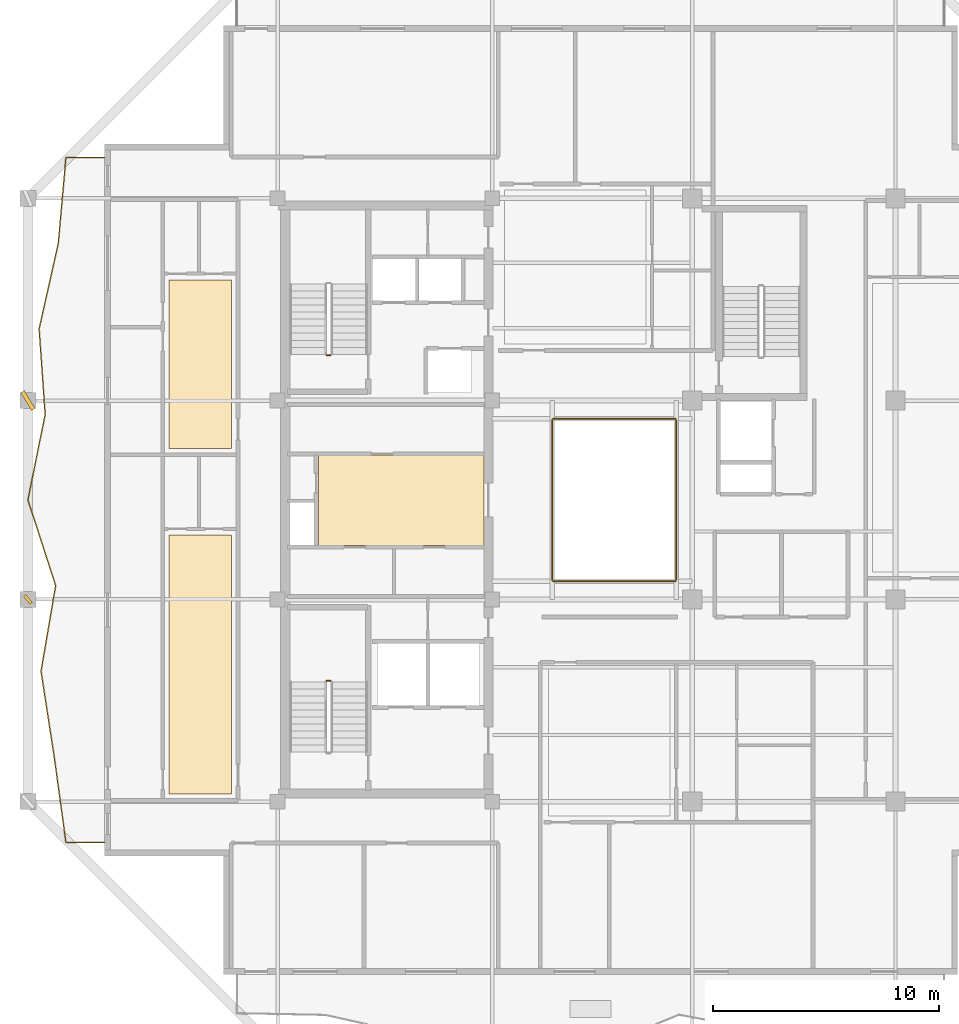
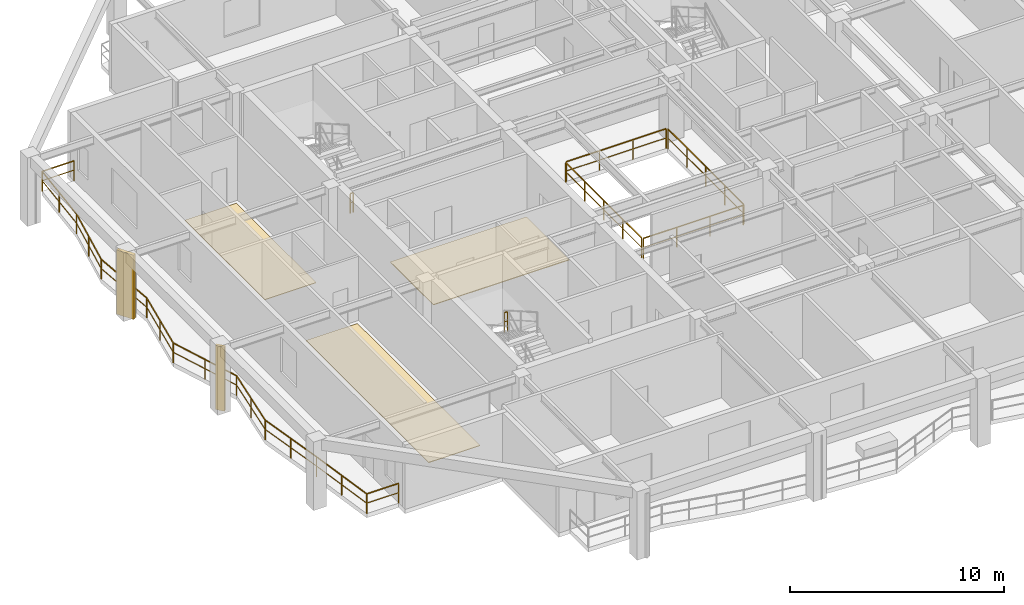
# One storey, part 8 of 11: 7 railings, 3 coverings, 2 shading devices.
"""IFC4 building model written with IfcOpenShell, lengths in metres."""

from ifc_helpers import new_model, si_unit, direction, frame, origin, origin_2d, place, context, subcontext, project, spatial, polyline, rectangle, outline, extrude, material, layer, layer_set, type_object, element, save


model = new_model("IFC4")

# Units and contexts
model_context = context("Model", 3, precision=1e-05, world=origin(), true_north=direction((0.0, 1.0)))
body_context = subcontext(model_context, "Body", "Model", "MODEL_VIEW")
ifc_project = project(units=[si_unit("LENGTHUNIT", "METRE"), si_unit("AREAUNIT", "SQUARE_METRE"), si_unit("VOLUMEUNIT", "CUBIC_METRE"), si_unit("PLANEANGLEUNIT", "RADIAN"), si_unit("MASSUNIT", "GRAM", prefix="KILO")], contexts=[model_context])

# Site, building, storey
site_placement = place(None, origin())
site = spatial("IfcSite", under=ifc_project, at=site_placement, CompositionType="ELEMENT")
building_placement = place(site_placement, origin())
building = spatial("IfcBuilding", under=site, at=building_placement, Name="Kundavana Baori Tower", CompositionType="ELEMENT")
storey_placement = place(building_placement, frame((0.0, 0.0, 249.199951171875)))
storey = spatial("IfcBuildingStorey", under=building, at=storey_placement, Name="L61", CompositionType="ELEMENT", Elevation=249.199951171875)

# Coverings
ifc_material_1 = material(Name="Honed Kota Stone and Terrazzo Flooring", Category="masonry")
ifc_layer_1 = layer(ifc_material_1, 0.0400390625, Name="COV-FLR-TERR-40")
ifc_layer_set_1 = layer_set([ifc_layer_1], Name="Honed Kota Stone and Terrazzo Flooring")
covering_type_1 = type_object("IfcCoveringType", Name="COV-FLR-TERR-40", PredefinedType="FLOORING", material=ifc_layer_set_1)
covering_1_placement = place(storey_placement, origin())
element("IfcCovering", 1, at=covering_1_placement, inside=storey, type_object=covering_type_1, Name="L61 Core Lift Lobby Kota Stone Flooring", PredefinedType="FLOORING", context=body_context, shape_type="SweptSolid", body=[
    extrude(outline(polyline([(17.25, 26.580078125), (24.580078125, 26.580078125), (24.580078125, 30.60009765625), (17.25, 30.60009765625), (17.25, 26.580078125)])), origin(), (0.0, 0.0, 1.0), 0.0400390625),
])
ifc_material_2 = material(Name="Honed Kota Stone and Terrazzo Flooring", Category="masonry")
ifc_layer_2 = layer(ifc_material_2, 0.030029296875, Name="COV-INT-FLR")
ifc_layer_set_2 = layer_set([ifc_layer_2], Name="Honed Kota Stone and Terrazzo Flooring")
covering_type_2 = type_object("IfcCoveringType", Name="COV-INT-FLR", PredefinedType="FLOORING", material=ifc_layer_set_2)
covering_2_placement = place(storey_placement, origin())
element("IfcCovering", 2, at=covering_2_placement, inside=storey, type_object=covering_type_2, Name="L61 Room Finished Stone Flooring 1", PredefinedType="FLOORING", context=body_context, shape_type="SweptSolid", body=[
    extrude(outline(polyline([(10.64990234375, 15.580078125), (13.419921875, 15.580078125), (13.419921875, 27.0400390625), (10.64990234375, 27.0400390625), (10.64990234375, 15.580078125)])), origin(), (0.0, 0.0, 1.0), 0.030029296875),
])
covering_3_placement = place(storey_placement, origin())
element("IfcCovering", 3, at=covering_3_placement, inside=storey, type_object=covering_type_2, Name="L61 Room Finished Stone Flooring 2", PredefinedType="FLOORING", context=body_context, shape_type="SweptSolid", body=[
    extrude(outline(polyline([(10.64990234375, 30.8798828125), (13.419921875, 30.8798828125), (13.419921875, 38.340087890625), (10.64990234375, 38.340087890625), (10.64990234375, 30.8798828125)])), origin(), (0.0, 0.0, 1.0), 0.030029296875),
])

# Railings
ifc_material_3 = material(Name="Architectural Patinated Bronze Metalwork")
railing_type_1 = type_object("IfcRailingType", Name="RL-BAL-1150", PredefinedType="BALUSTRADE", material=ifc_material_3)
railing_1_placement = place(storey_placement, frame((7.800048828125, 13.449951171875, 0.0)))
element("IfcRailing", 4, at=railing_1_placement, inside=storey, type_object=railing_type_1, Name="L61 Loggia Balcony Balustrade W", PredefinedType="BALUSTRADE", context=body_context, shape_type="SweptSolid", body=[
    extrude(rectangle(XDim=0.048095703125, YDim=0.048095703125, at=origin_2d()), frame((0.0, 0.0, 1.1259765625), z_axis=(-1.0, 0.0, 0.0), x_axis=(0.0, -1.0, 0.0)), (0.0, 0.0, 1.0), 1.719970703125),
    extrude(rectangle(XDim=0.03125, YDim=0.03125, at=origin_2d()), frame((0.0, 0.0, 0.597900390625), z_axis=(-1.0, 0.0, 0.0), x_axis=(0.0, -1.0, 0.0)), (0.0, 0.0, 1.0), 1.719970703125),
    extrude(rectangle(XDim=0.048095703125, YDim=0.048095703125, at=origin_2d()), frame((-1.719970703125, 0.0, 1.1259765625), z_axis=(-0.136002139567, 0.990708543434, 0.0), x_axis=(-0.990708543434, -0.136002139567, 0.0)), (0.0, 0.0, 1.0), 3.82373046875),
    extrude(rectangle(XDim=0.03125, YDim=0.03125, at=origin_2d()), frame((-1.719970703125, 0.0, 0.597900390625), z_axis=(-0.136002139567, 0.990708543434, 0.0), x_axis=(-0.990708543434, -0.136002139567, 0.0)), (0.0, 0.0, 1.0), 3.82373046875),
    extrude(rectangle(XDim=0.048095703125, YDim=0.048095703125, at=origin_2d()), frame((-2.239990234375, 3.7880859375, 1.1259765625), z_axis=(-0.151913531628, 0.988393787368, 0.0), x_axis=(-0.988393787368, -0.151913531628, 0.0)), (0.0, 0.0, 1.0), 3.831298828125),
    extrude(rectangle(XDim=0.03125, YDim=0.03125, at=origin_2d()), frame((-2.239990234375, 3.7880859375, 0.597900390625), z_axis=(-0.151913531628, 0.988393787368, 0.0), x_axis=(-0.988393787368, -0.151913531628, 0.0)), (0.0, 0.0, 1.0), 3.831298828125),
    extrude(rectangle(XDim=0.048095703125, YDim=0.048095703125, at=origin_2d()), frame((-2.822021484375, 7.574951171875, 1.1259765625), z_axis=(0.16839585765, 0.985719450516, 0.0), x_axis=(-0.985719450516, 0.16839585765, 0.0)), (0.0, 0.0, 1.0), 3.842041015625),
    extrude(rectangle(XDim=0.03125, YDim=0.03125, at=origin_2d()), frame((-2.822021484375, 7.574951171875, 0.597900390625), z_axis=(0.16839585765, 0.985719450516, 0.0), x_axis=(-0.985719450516, 0.16839585765, 0.0)), (0.0, 0.0, 1.0), 3.842041015625),
    extrude(rectangle(XDim=0.048095703125, YDim=0.048095703125, at=origin_2d()), frame((-2.175048828125, 11.362060546875, 1.1259765625), z_axis=(-0.307715790577, 0.951478319369, 0.0), x_axis=(-0.951478319369, -0.307715790577, 0.0)), (0.0, 0.0, 1.0), 3.981201171875),
    extrude(rectangle(XDim=0.03125, YDim=0.03125, at=origin_2d()), frame((-2.175048828125, 11.362060546875, 0.597900390625), z_axis=(-0.307715790577, 0.951478319369, 0.0), x_axis=(-0.951478319369, -0.307715790577, 0.0)), (0.0, 0.0, 1.0), 3.981201171875),
    extrude(rectangle(XDim=0.048095703125, YDim=0.048095703125, at=origin_2d()), frame((-3.400146484375, 15.150146484375, 1.1259765625), z_axis=(0.19672373461, 0.980458959998, 0.0), x_axis=(-0.980458959998, 0.19672373461, 0.0)), (0.0, 0.0, 1.0), 3.86328125),
    extrude(rectangle(XDim=0.03125, YDim=0.03125, at=origin_2d()), frame((-3.400146484375, 15.150146484375, 0.597900390625), z_axis=(0.19672373461, 0.980458959998, 0.0), x_axis=(-0.980458959998, 0.19672373461, 0.0)), (0.0, 0.0, 1.0), 3.86328125),
    extrude(rectangle(XDim=0.048095703125, YDim=0.048095703125, at=origin_2d()), frame((-2.64013671875, 18.93798828125, 1.1259765625), z_axis=(-0.070287311749, 0.997526788516, 0.0), x_axis=(-0.997526788516, -0.070287311749, 0.0)), (0.0, 0.0, 1.0), 3.79638671875),
    extrude(rectangle(XDim=0.03125, YDim=0.03125, at=origin_2d()), frame((-2.64013671875, 18.93798828125, 0.597900390625), z_axis=(-0.070287311749, 0.997526788516, 0.0), x_axis=(-0.997526788516, -0.070287311749, 0.0)), (0.0, 0.0, 1.0), 3.79638671875),
    extrude(rectangle(XDim=0.048095703125, YDim=0.048095703125, at=origin_2d()), frame((-2.906982421875, 22.72509765625, 1.1259765625), z_axis=(0.218735210275, 0.975784252684, 0.0), x_axis=(-0.975784252684, 0.218735210275, 0.0)), (0.0, 0.0, 1.0), 3.880859375),
    extrude(rectangle(XDim=0.03125, YDim=0.03125, at=origin_2d()), frame((-2.906982421875, 22.72509765625, 0.597900390625), z_axis=(0.218735210275, 0.975784252684, 0.0), x_axis=(-0.975784252684, 0.218735210275, 0.0)), (0.0, 0.0, 1.0), 3.880859375),
    extrude(rectangle(XDim=0.048095703125, YDim=0.048095703125, at=origin_2d()), frame((-2.05810546875, 26.511962890625, 1.1259765625), z_axis=(0.088909192717, 0.996039735879, 0.0), x_axis=(-0.996039735879, 0.088909192717, 0.0)), (0.0, 0.0, 1.0), 3.80322265625),
    extrude(rectangle(XDim=0.03125, YDim=0.03125, at=origin_2d()), frame((-2.05810546875, 26.511962890625, 0.597900390625), z_axis=(0.088909192717, 0.996039735879, 0.0), x_axis=(-0.996039735879, 0.088909192717, 0.0)), (0.0, 0.0, 1.0), 3.80322265625),
    extrude(rectangle(XDim=0.048095703125, YDim=0.048095703125, at=origin_2d()), frame((-1.719970703125, 30.300048828125, 1.1259765625), z_axis=(1.0, 0.0, 0.0), x_axis=(0.0, 1.0, 0.0)), (0.0, 0.0, 1.0), 1.719970703125),
    extrude(rectangle(XDim=0.03125, YDim=0.03125, at=origin_2d()), frame((-1.719970703125, 30.300048828125, 0.597900390625), z_axis=(1.0, 0.0, 0.0), x_axis=(0.0, 1.0, 0.0)), (0.0, 0.0, 1.0), 1.719970703125),
    extrude(rectangle(XDim=0.0419921875, YDim=0.0419921875, at=origin_2d()), origin(), (0.0, 0.0, 1.0), 1.101806640625),
    extrude(rectangle(XDim=0.0419921875, YDim=0.0419921875, at=origin_2d()), frame((-1.719970703125, 0.0, 0.0)), (0.0, 0.0, 1.0), 1.101806640625),
    extrude(rectangle(XDim=0.0419921875, YDim=0.0419921875, at=origin_2d()), frame((-1.97998046875, 1.89404296875, 0.0)), (0.0, 0.0, 1.0), 1.101806640625),
    extrude(rectangle(XDim=0.0419921875, YDim=0.0419921875, at=origin_2d()), frame((-2.239990234375, 3.7880859375, 0.0)), (0.0, 0.0, 1.0), 1.101806640625),
    extrude(rectangle(XDim=0.0419921875, YDim=0.0419921875, at=origin_2d()), frame((-2.531005859375, 5.681640625, 0.0)), (0.0, 0.0, 1.0), 1.101806640625),
    extrude(rectangle(XDim=0.0419921875, YDim=0.0419921875, at=origin_2d()), frame((-2.822021484375, 7.574951171875, 0.0)), (0.0, 0.0, 1.0), 1.101806640625),
    extrude(rectangle(XDim=0.0419921875, YDim=0.0419921875, at=origin_2d()), frame((-2.49853515625, 9.468505859375, 0.0)), (0.0, 0.0, 1.0), 1.101806640625),
    extrude(rectangle(XDim=0.0419921875, YDim=0.0419921875, at=origin_2d()), frame((-2.175048828125, 11.362060546875, 0.0)), (0.0, 0.0, 1.0), 1.101806640625),
    extrude(rectangle(XDim=0.0419921875, YDim=0.0419921875, at=origin_2d()), frame((-2.78759765625, 13.256103515625, 0.0)), (0.0, 0.0, 1.0), 1.101806640625),
    extrude(rectangle(XDim=0.0419921875, YDim=0.0419921875, at=origin_2d()), frame((-3.400146484375, 15.150146484375, 0.0)), (0.0, 0.0, 1.0), 1.101806640625),
    extrude(rectangle(XDim=0.0419921875, YDim=0.0419921875, at=origin_2d()), frame((-3.02001953125, 17.0439453125, 0.0)), (0.0, 0.0, 1.0), 1.101806640625),
    extrude(rectangle(XDim=0.0419921875, YDim=0.0419921875, at=origin_2d()), frame((-2.64013671875, 18.93798828125, 0.0)), (0.0, 0.0, 1.0), 1.101806640625),
    extrude(rectangle(XDim=0.0419921875, YDim=0.0419921875, at=origin_2d()), frame((-2.7734375, 20.83154296875, 0.0)), (0.0, 0.0, 1.0), 1.101806640625),
    extrude(rectangle(XDim=0.0419921875, YDim=0.0419921875, at=origin_2d()), frame((-2.906982421875, 22.72509765625, 0.0)), (0.0, 0.0, 1.0), 1.101806640625),
    extrude(rectangle(XDim=0.0419921875, YDim=0.0419921875, at=origin_2d()), frame((-2.482421875, 24.61865234375, 0.0)), (0.0, 0.0, 1.0), 1.101806640625),
    extrude(rectangle(XDim=0.0419921875, YDim=0.0419921875, at=origin_2d()), frame((-2.05810546875, 26.511962890625, 0.0)), (0.0, 0.0, 1.0), 1.101806640625),
    extrude(rectangle(XDim=0.0419921875, YDim=0.0419921875, at=origin_2d()), frame((-1.88916015625, 28.406005859375, 0.0)), (0.0, 0.0, 1.0), 1.101806640625),
    extrude(rectangle(XDim=0.0419921875, YDim=0.0419921875, at=origin_2d()), frame((-1.719970703125, 30.300048828125, 0.0)), (0.0, 0.0, 1.0), 1.101806640625),
    extrude(rectangle(XDim=0.0419921875, YDim=0.0419921875, at=origin_2d()), frame((0.0, 30.300048828125, 0.0)), (0.0, 0.0, 1.0), 1.101806640625),
])
ifc_material_4 = material(Name="Architectural Patinated Bronze Metalwork")
railing_type_2 = type_object("IfcRailingType", Name="RL-GRD-1150", PredefinedType="GUARDRAIL", material=ifc_material_4)
for number, where, name in (
    (5, (17.7900390625, 20.60009765625, 1.949951171875), "L61 ST1 stair guard 2"),
    (6, (17.7900390625, 35.0, 0.0), "L61 ST2 stair guard 4"),
):
    element("IfcRailing", number, at=place(storey_placement, frame(where)), inside=storey, type_object=railing_type_2, Name=name, PredefinedType="GUARDRAIL", context=body_context, shape_type="SweptSolid", body=[
        extrude(rectangle(XDim=0.048095703125, YDim=0.048095703125, at=origin_2d()), frame((0.0, 0.0, 1.1259765625), z_axis=(-1.0, 0.0, 0.0), x_axis=(0.0, -1.0, 0.0)), (0.0, 0.0, 1.0), 0.16015625),
        extrude(rectangle(XDim=0.03125, YDim=0.03125, at=origin_2d()), frame((0.0, 0.0, 0.597900390625), z_axis=(-1.0, 0.0, 0.0), x_axis=(0.0, -1.0, 0.0)), (0.0, 0.0, 1.0), 0.16015625),
        extrude(rectangle(XDim=0.0419921875, YDim=0.0419921875, at=origin_2d()), origin(), (0.0, 0.0, 1.0), 1.101806640625),
        extrude(rectangle(XDim=0.0419921875, YDim=0.0419921875, at=origin_2d()), frame((-0.16015625, 0.0, 0.0)), (0.0, 0.0, 1.0), 1.101806640625),
    ])
railing_2_placement = place(storey_placement, frame((27.659912109375, 25.0, 0.0)))
element("IfcRailing", 7, at=railing_2_placement, inside=storey, type_object=railing_type_2, Name="L61 Atrium Void Perimeter Guardrail S", PredefinedType="GUARDRAIL", context=body_context, shape_type="SweptSolid", body=[
    extrude(rectangle(XDim=0.048095703125, YDim=0.048095703125, at=origin_2d()), frame((0.0, 0.0, 1.1259765625), z_axis=(1.0, 0.0, 0.0), x_axis=(0.0, 1.0, 0.0)), (0.0, 0.0, 1.0), 5.380126953125),
    extrude(rectangle(XDim=0.03125, YDim=0.03125, at=origin_2d()), frame((0.0, 0.0, 0.597900390625), z_axis=(1.0, 0.0, 0.0), x_axis=(0.0, 1.0, 0.0)), (0.0, 0.0, 1.0), 5.380126953125),
    extrude(rectangle(XDim=0.0419921875, YDim=0.0419921875, at=origin_2d()), origin(), (0.0, 0.0, 1.0), 1.101806640625),
    extrude(rectangle(XDim=0.0419921875, YDim=0.0419921875, at=origin_2d()), frame((1.79345703125, 0.0, 0.0)), (0.0, 0.0, 1.0), 1.101806640625),
    extrude(rectangle(XDim=0.0419921875, YDim=0.0419921875, at=origin_2d()), frame((3.586669921875, 0.0, 0.0)), (0.0, 0.0, 1.0), 1.101806640625),
    extrude(rectangle(XDim=0.0419921875, YDim=0.0419921875, at=origin_2d()), frame((5.380126953125, 0.0, 0.0)), (0.0, 0.0, 1.0), 1.101806640625),
])
railing_3_placement = place(storey_placement, frame((33.10009765625, 25.06005859375, 0.0)))
element("IfcRailing", 8, at=railing_3_placement, inside=storey, type_object=railing_type_2, Name="L61 Atrium Void Perimeter Guardrail E", PredefinedType="GUARDRAIL", context=body_context, shape_type="SweptSolid", body=[
    extrude(rectangle(XDim=0.048095703125, YDim=0.048095703125, at=origin_2d()), frame((0.0, 0.0, 1.1259765625), z_axis=(0.0, 1.0, 0.0), x_axis=(-1.0, 0.0, 0.0)), (0.0, 0.0, 1.0), 7.079833984375),
    extrude(rectangle(XDim=0.03125, YDim=0.03125, at=origin_2d()), frame((0.0, 0.0, 0.597900390625), z_axis=(0.0, 1.0, 0.0), x_axis=(-1.0, 0.0, 0.0)), (0.0, 0.0, 1.0), 7.079833984375),
    extrude(rectangle(XDim=0.0419921875, YDim=0.0419921875, at=origin_2d()), origin(), (0.0, 0.0, 1.0), 1.101806640625),
    extrude(rectangle(XDim=0.0419921875, YDim=0.0419921875, at=origin_2d()), frame((0.0, 1.77001953125, 0.0)), (0.0, 0.0, 1.0), 1.101806640625),
    extrude(rectangle(XDim=0.0419921875, YDim=0.0419921875, at=origin_2d()), frame((0.0, 3.5400390625, 0.0)), (0.0, 0.0, 1.0), 1.101806640625),
    extrude(rectangle(XDim=0.0419921875, YDim=0.0419921875, at=origin_2d()), frame((0.0, 5.309814453125, 0.0)), (0.0, 0.0, 1.0), 1.101806640625),
    extrude(rectangle(XDim=0.0419921875, YDim=0.0419921875, at=origin_2d()), frame((0.0, 7.079833984375, 0.0)), (0.0, 0.0, 1.0), 1.101806640625),
])
railing_4_placement = place(storey_placement, frame((33.0400390625, 32.199951171875, 0.0)))
element("IfcRailing", 9, at=railing_4_placement, inside=storey, type_object=railing_type_2, Name="L61 Atrium Void Perimeter Guardrail N", PredefinedType="GUARDRAIL", context=body_context, shape_type="SweptSolid", body=[
    extrude(rectangle(XDim=0.048095703125, YDim=0.048095703125, at=origin_2d()), frame((0.0, 0.0, 1.1259765625), z_axis=(-1.0, 0.0, 0.0), x_axis=(0.0, -1.0, 0.0)), (0.0, 0.0, 1.0), 5.380126953125),
    extrude(rectangle(XDim=0.03125, YDim=0.03125, at=origin_2d()), frame((0.0, 0.0, 0.597900390625), z_axis=(-1.0, 0.0, 0.0), x_axis=(0.0, -1.0, 0.0)), (0.0, 0.0, 1.0), 5.380126953125),
    extrude(rectangle(XDim=0.0419921875, YDim=0.0419921875, at=origin_2d()), origin(), (0.0, 0.0, 1.0), 1.101806640625),
    extrude(rectangle(XDim=0.0419921875, YDim=0.0419921875, at=origin_2d()), frame((-1.79345703125, 0.0, 0.0)), (0.0, 0.0, 1.0), 1.101806640625),
    extrude(rectangle(XDim=0.0419921875, YDim=0.0419921875, at=origin_2d()), frame((-3.586669921875, 0.0, 0.0)), (0.0, 0.0, 1.0), 1.101806640625),
    extrude(rectangle(XDim=0.0419921875, YDim=0.0419921875, at=origin_2d()), frame((-5.380126953125, 0.0, 0.0)), (0.0, 0.0, 1.0), 1.101806640625),
])
railing_5_placement = place(storey_placement, frame((27.60009765625, 32.139892578125, 0.0)))
element("IfcRailing", 10, at=railing_5_placement, inside=storey, type_object=railing_type_2, Name="L61 Atrium Void Perimeter Guardrail W", PredefinedType="GUARDRAIL", context=body_context, shape_type="SweptSolid", body=[
    extrude(rectangle(XDim=0.048095703125, YDim=0.048095703125, at=origin_2d()), frame((0.0, 0.0, 1.1259765625), z_axis=(0.0, -1.0, 0.0), x_axis=(1.0, 0.0, 0.0)), (0.0, 0.0, 1.0), 7.079833984375),
    extrude(rectangle(XDim=0.03125, YDim=0.03125, at=origin_2d()), frame((0.0, 0.0, 0.597900390625), z_axis=(0.0, -1.0, 0.0), x_axis=(1.0, 0.0, 0.0)), (0.0, 0.0, 1.0), 7.079833984375),
    extrude(rectangle(XDim=0.0419921875, YDim=0.0419921875, at=origin_2d()), origin(), (0.0, 0.0, 1.0), 1.101806640625),
    extrude(rectangle(XDim=0.0419921875, YDim=0.0419921875, at=origin_2d()), frame((0.0, -1.77001953125, 0.0)), (0.0, 0.0, 1.0), 1.101806640625),
    extrude(rectangle(XDim=0.0419921875, YDim=0.0419921875, at=origin_2d()), frame((0.0, -3.5400390625, 0.0)), (0.0, 0.0, 1.0), 1.101806640625),
    extrude(rectangle(XDim=0.0419921875, YDim=0.0419921875, at=origin_2d()), frame((0.0, -5.309814453125, 0.0)), (0.0, 0.0, 1.0), 1.101806640625),
    extrude(rectangle(XDim=0.0419921875, YDim=0.0419921875, at=origin_2d()), frame((0.0, -7.079833984375, 0.0)), (0.0, 0.0, 1.0), 1.101806640625),
])

# Shading devices
ifc_material_5 = material(Name="Red-Buff Dholpur Sandstone Cladding on Concrete C40/50", Category="masonry")
shading_device_type_1 = type_object("IfcShadingDeviceType", Name="SHD-FIN-920", PredefinedType="JALOUSIE", material=ifc_material_5)
shading_device_1_placement = place(storey_placement, frame((4.39990234375, 33.0, 0.0), z_axis=(0.0, 0.0, 1.0), x_axis=(0.855002400666, 0.51862403999, 0.0)))
element("IfcShadingDevice", 11, at=shading_device_1_placement, inside=storey, type_object=shading_device_type_1, Name="L61 Sweeping Dholpur Sandstone Facade Fin 7", PredefinedType="JALOUSIE", context=body_context, shape_type="SweptSolid", body=[
    extrude(rectangle(XDim=0.179931640625, YDim=0.919921875, at=origin_2d()), origin(), (0.0, 0.0, 1.0), 3.659912109375),
])
ifc_material_6 = material(Name="Architectural Patinated Bronze Metalwork")
shading_device_type_2 = type_object("IfcShadingDeviceType", Name="SHD-LOUV-450", PredefinedType="SHUTTER", material=ifc_material_6)
shading_device_2_placement = place(storey_placement, frame((4.39990234375, 24.199951171875, 0.0), z_axis=(0.0, 0.0, 1.0), x_axis=(0.766268771648, 0.642520170576, 0.0)))
element("IfcShadingDevice", 12, at=shading_device_2_placement, inside=storey, type_object=shading_device_type_2, Name="L61 Sweeping Dholpur Sandstone Facade Fin 6", PredefinedType="SHUTTER", context=body_context, shape_type="SweptSolid", body=[
    extrude(rectangle(XDim=0.139892578125, YDim=0.449951171875, at=origin_2d()), origin(), (0.0, 0.0, 1.0), 3.659912109375),
])

save(model, "model.ifc")
